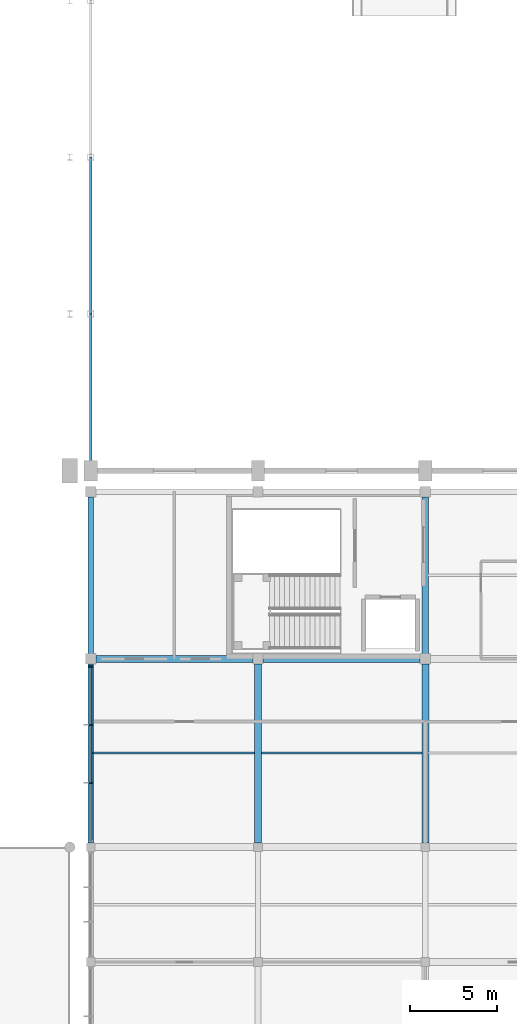
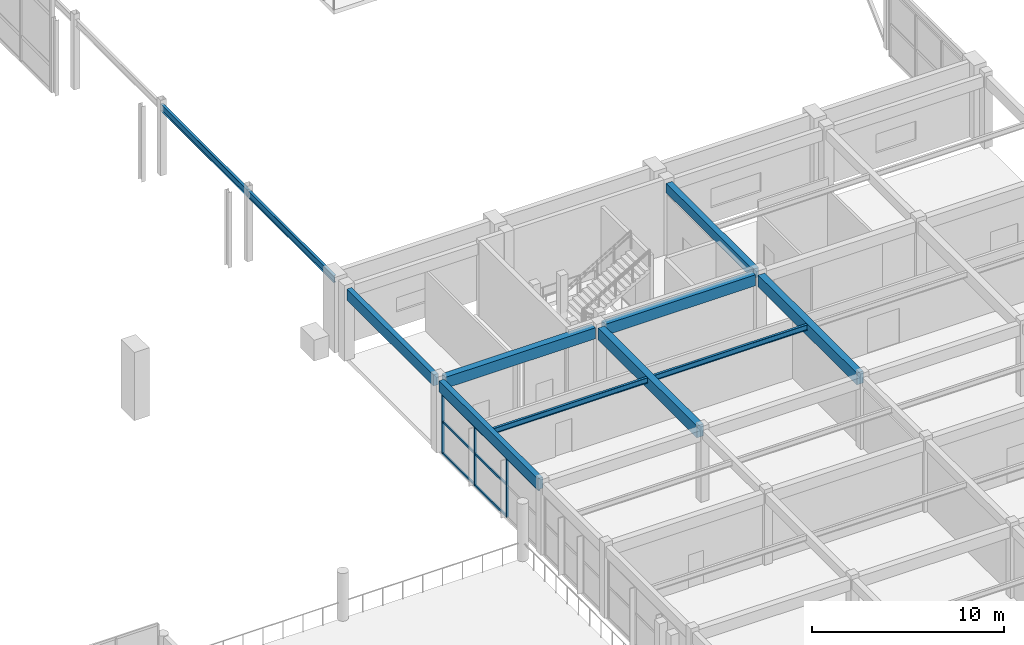
# One storey, part 29 of 74: 11 beams, 8 members, 1 element without a shape of its own.
"""IFC4 building model written with IfcOpenShell, lengths in metres."""

from ifc_helpers import new_model, si_unit, direction, frame, origin, origin_2d, place, context, subcontext, project, spatial, rectangle, i_section, extrude, material, material_profile, profile_set, type_object, element, aggregate, save


model = new_model("IFC4")

# Units and contexts
model_context = context("Model", 3, precision=1e-05, world=origin(), true_north=direction((0.0, 1.0)))
body_context = subcontext(model_context, "Body", "Model", "MODEL_VIEW")
ifc_project = project(units=[si_unit("LENGTHUNIT", "METRE"), si_unit("AREAUNIT", "SQUARE_METRE"), si_unit("VOLUMEUNIT", "CUBIC_METRE"), si_unit("PLANEANGLEUNIT", "RADIAN"), si_unit("MASSUNIT", "GRAM", prefix="KILO")], contexts=[model_context])

# Site, building, storey
site_placement = place(None, origin())
site = spatial("IfcSite", under=ifc_project, at=site_placement, CompositionType="ELEMENT")
building_placement = place(site_placement, origin())
building = spatial("IfcBuilding", under=site, at=building_placement, Name="Suirenkawa Promenade Aquatics Centre", CompositionType="ELEMENT")
storey_placement = place(building_placement, frame((0.0, 0.0, 4.800048828125)))
storey = spatial("IfcBuildingStorey", under=building, at=storey_placement, Name="L01", CompositionType="ELEMENT", Elevation=4.800048828125)

# Beams
ifc_material_1 = material(Name="Steel IS 2062 E350 (Grade 350)", Category="steel")
ifc_material_profile_1 = material_profile(ifc_material_1, i_section(OverallWidth=0.139892578125, OverallDepth=0.35009765625, WebThickness=0.008056640625, FlangeThickness=0.013916015625, at=origin_2d()), Name="ISMB 350", Category="steel")
ifc_profile_set_1 = profile_set([ifc_material_profile_1], Name="Steel IS 2062 E350 (Grade 350)")
beam_type_1 = type_object("IfcBeamType", Name="BT-JOIST-ISMB350", PredefinedType="JOIST", material=ifc_profile_set_1)
beam_1_placement = place(storey_placement, frame((156.14404296875, 34.199951171875, 4.363037109375), z_axis=(1.0, 0.0, 0.0), x_axis=(0.0, 1.0, 0.0)))
element("IfcBeam", 1, at=beam_1_placement, inside=storey, type_object=beam_type_1, Name="Secondary floor joist JS-03 BM-1726", PredefinedType="JOIST", context=body_context, shape_type="SweptSolid", body=[
    extrude(i_section(OverallWidth=0.139892578125, OverallDepth=0.35009765625, WebThickness=0.008056640625, FlangeThickness=0.013916015625, at=origin_2d()), origin(), (0.0, 0.0, 1.0), 9.261962890625),
])
beam_2_placement = place(storey_placement, frame((165.7939453125, 34.199951171875, 4.363037109375), z_axis=(1.0, 0.0, 0.0), x_axis=(0.0, 1.0, 0.0)))
element("IfcBeam", 2, at=beam_2_placement, inside=storey, type_object=beam_type_1, Name="Secondary floor joist JS-03 BM-1730", PredefinedType="JOIST", context=body_context, shape_type="SweptSolid", body=[
    extrude(i_section(OverallWidth=0.139892578125, OverallDepth=0.35009765625, WebThickness=0.008056640625, FlangeThickness=0.013916015625, at=origin_2d()), origin(), (0.0, 0.0, 1.0), 9.212158203125),
])
ifc_material_2 = material(Name="Concrete M35", Category="concrete")
ifc_material_profile_2 = material_profile(ifc_material_2, rectangle(XDim=0.35009765625, YDim=0.60009765625, at=origin_2d()), Name="RC BM 350x600", Category="concrete")
ifc_profile_set_2 = profile_set([ifc_material_profile_2], Name="Concrete M35")
beam_type_2 = type_object("IfcBeamType", Name="BT-RC-350x600", PredefinedType="BEAM", material=ifc_profile_set_2)
beam_3_placement = place(storey_placement, frame((175.199951171875, 39.89404296875, 4.239990234375), z_axis=(0.0, 1.0, 0.0), x_axis=(-1.0, 0.0, 0.0)))
element("IfcBeam", 3, at=beam_3_placement, inside=storey, type_object=beam_type_2, Name="Floor beam BM-02 BM-1712", PredefinedType="BEAM", context=body_context, shape_type="SweptSolid", body=[
    extrude(rectangle(XDim=0.35009765625, YDim=0.60009765625, at=origin_2d()), origin(), (0.0, 0.0, 1.0), 9.011962890625),
])
ifc_material_profile_3 = material_profile(ifc_material_2, rectangle(XDim=0.39990234375, YDim=0.699951171875, at=origin_2d()), Name="RC BM 400x700", Category="concrete")
ifc_profile_set_3 = profile_set([ifc_material_profile_3], Name="Concrete M35")
beam_type_3 = type_object("IfcBeamType", Name="BT-RC-400x700", PredefinedType="BEAM", material=ifc_profile_set_3)
for number, where, z_axis, x_axis, name in (
    (4, (156.2939453125, 39.60009765625, 4.18994140625), (1.0, 0.0, 0.0), (0.0, 1.0, 0.0), "Floor beam BM-04 BM-1691"),
    (5, (165.89404296875, 39.60009765625, 4.18994140625), (1.0, 0.0, 0.0), (0.0, 1.0, 0.0), "Floor beam BM-04 BM-1692"),
):
    element("IfcBeam", number, at=place(storey_placement, frame(where, z_axis=z_axis, x_axis=x_axis)), inside=storey, type_object=beam_type_3, Name=name, PredefinedType="BEAM", context=body_context, shape_type="SweptSolid", body=[
        extrude(rectangle(XDim=0.39990234375, YDim=0.699951171875, at=origin_2d()), origin(), (0.0, 0.0, 1.0), 9.011962890625),
    ])
ifc_material_3 = material(Name="Concrete M40", Category="concrete")
ifc_material_profile_4 = material_profile(ifc_material_3, rectangle(XDim=0.39990234375, YDim=0.75, at=origin_2d()), Name="RC BM 400x750", Category="concrete")
ifc_profile_set_4 = profile_set([ifc_material_profile_4], Name="Concrete M40")
beam_type_4 = type_object("IfcBeamType", Name="BT-RC-400x750", PredefinedType="BEAM", material=ifc_profile_set_4)
for number, where, z_axis, x_axis, name in (
    (6, (165.60009765625, 29.0439453125, 4.1650390625), (0.0, 1.0, 0.0), (-1.0, 0.0, 0.0), "Floor beam BM-05 BM-1707"),
    (7, (175.199951171875, 29.0439453125, 4.1650390625), (0.0, 1.0, 0.0), (-1.0, 0.0, 0.0), "Floor beam BM-05 BM-1711"),
):
    element("IfcBeam", number, at=place(storey_placement, frame(where, z_axis=z_axis, x_axis=x_axis)), inside=storey, type_object=beam_type_4, Name=name, PredefinedType="BEAM", context=body_context, shape_type="SweptSolid", body=[
        extrude(rectangle(XDim=0.39990234375, YDim=0.75, at=origin_2d()), origin(), (0.0, 0.0, 1.0), 10.261962890625),
    ])
ifc_material_profile_5 = material_profile(ifc_material_3, rectangle(XDim=0.300048828125, YDim=0.699951171875, at=origin_2d()), Name="RC SPANDREL 300x700", Category="concrete")
ifc_profile_set_5 = profile_set([ifc_material_profile_5], Name="Concrete M40")
beam_type_5 = type_object("IfcBeamType", Name="BT-SPANDREL-300x700", PredefinedType="SPANDREL", material=ifc_profile_set_5)
beam_4_placement = place(storey_placement, frame((156.0, 29.0439453125, 4.18994140625), z_axis=(0.0, 1.0, 0.0), x_axis=(-1.0, 0.0, 0.0)))
element("IfcBeam", 8, at=beam_4_placement, inside=storey, type_object=beam_type_5, Name="Floor beam SP-01 BM-1702", PredefinedType="SPANDREL", context=body_context, shape_type="SweptSolid", body=[
    extrude(rectangle(XDim=0.300048828125, YDim=0.699951171875, at=origin_2d()), origin(), (0.0, 0.0, 1.0), 10.261962890625),
])
beam_5_placement = place(storey_placement, frame((156.0, 39.89404296875, 4.18994140625), z_axis=(0.0, 1.0, 0.0), x_axis=(-1.0, 0.0, 0.0)))
element("IfcBeam", 9, at=beam_5_placement, inside=storey, type_object=beam_type_5, Name="Floor beam SP-01 BM-1703", PredefinedType="SPANDREL", context=body_context, shape_type="SweptSolid", body=[
    extrude(rectangle(XDim=0.300048828125, YDim=0.699951171875, at=origin_2d()), origin(), (0.0, 0.0, 1.0), 9.011962890625),
])
ifc_material_profile_6 = material_profile(ifc_material_1, i_section(OverallWidth=0.14990234375, OverallDepth=0.449951171875, WebThickness=0.009033203125, FlangeThickness=0.01708984375, at=origin_2d()), Name="ISMB 450", Category="steel")
ifc_profile_set_6 = profile_set([ifc_material_profile_6], Name="Steel IS 2062 E350 (Grade 350)")
beam_type_6 = type_object("IfcBeamType", Name="BT-STL-ISMB450", PredefinedType="BEAM", material=ifc_profile_set_6)
for number, where, z_axis, x_axis, name in (
    (10, (156.0, 50.39990234375, 4.224853515625), (0.0, 1.0, 0.0), (-1.0, 0.0, 0.0), "Diving hall wind girt BM-08 BM-1349"),
    (11, (156.0, 59.39990234375, 4.224853515625), (0.0, 1.0, 0.0), (-1.0, 0.0, 0.0), "Diving hall wind girt BM-08 BM-1350"),
):
    element("IfcBeam", number, at=place(storey_placement, frame(where, z_axis=z_axis, x_axis=x_axis)), inside=storey, type_object=beam_type_6, Name=name, PredefinedType="BEAM", context=body_context, shape_type="SweptSolid", body=[
        extrude(i_section(OverallWidth=0.14990234375, OverallDepth=0.449951171875, WebThickness=0.009033203125, FlangeThickness=0.01708984375, at=origin_2d()), origin(), (0.0, 0.0, 1.0), 9.0),
    ])

# Curtain wall, members
ifc_material_4 = material(Name="Anodised aluminium 6063-T6", Category="aluminium")
curtain_wall_type = type_object("IfcCurtainWallType", Name="CWAT-V4WL01-34", PredefinedType="NOTDEFINED", material=ifc_material_4)
curtain_wall_placement = place(storey_placement, origin())
curtain_wall = element("IfcCurtainWall", 12, at=curtain_wall_placement, inside=storey, type_object=curtain_wall_type, Name="Curtain wall CWA-34 CW-077", PredefinedType="NOTDEFINED")
ifc_material_profile_7 = material_profile(ifc_material_4, rectangle(XDim=0.090087890625, YDim=0.159912109375, at=origin_2d()), Name="ALU MULL 90x160", Category="aluminium")
ifc_profile_set_7 = profile_set([ifc_material_profile_7], Name="Anodised aluminium 6063-T6")
member_type_1 = type_object("IfcMemberType", Name="CWM-160x90", PredefinedType="MULLION", material=ifc_profile_set_7)
member_1_placement = place(storey_placement, frame((156.0, 32.48291015625, 0.0), z_axis=(0.0, 0.0, 1.0), x_axis=(0.0, 1.0, 0.0)))
member_1 = element("IfcMember", 13, at=member_1_placement, type_object=member_type_1, Name="Mullion ML-03 CWM-01534", PredefinedType="MULLION", context=body_context, shape_type="SweptSolid", body=[
    extrude(rectangle(XDim=0.090087890625, YDim=0.159912109375, at=origin_2d()), origin(), (0.0, 0.0, 1.0), 3.719970703125),
])
member_2_placement = place(storey_placement, frame((156.0, 35.81689453125, 0.0), z_axis=(0.0, 0.0, 1.0), x_axis=(0.0, 1.0, 0.0)))
member_2 = element("IfcMember", 14, at=member_2_placement, type_object=member_type_1, Name="Mullion ML-03 CWM-01535", PredefinedType="MULLION", context=body_context, shape_type="SweptSolid", body=[
    extrude(rectangle(XDim=0.090087890625, YDim=0.159912109375, at=origin_2d()), origin(), (0.0, 0.0, 1.0), 3.719970703125),
])
member_3_placement = place(storey_placement, frame((156.0, 39.15087890625, 0.0), z_axis=(0.0, 0.0, 1.0), x_axis=(0.0, 1.0, 0.0)))
member_3 = element("IfcMember", 15, at=member_3_placement, type_object=member_type_1, Name="Mullion ML-03 CWM-01536", PredefinedType="MULLION", context=body_context, shape_type="SweptSolid", body=[
    extrude(rectangle(XDim=0.090087890625, YDim=0.159912109375, at=origin_2d()), origin(), (0.0, 0.0, 1.0), 3.719970703125),
])
ifc_material_profile_8 = material_profile(ifc_material_4, rectangle(XDim=0.090087890625, YDim=0.1298828125, at=origin_2d()), Name="ALU TRAN 90x130", Category="aluminium")
ifc_profile_set_8 = profile_set([ifc_material_profile_8], Name="Anodised aluminium 6063-T6")
member_type_2 = type_object("IfcMemberType", Name="CWT-130x90", PredefinedType="USERDEFINED", material=ifc_profile_set_8)
member_4_placement = place(storey_placement, frame((156.0, 32.48291015625, 0.0), z_axis=(0.0, 1.0, 0.0), x_axis=(-1.0, 0.0, 0.0)))
member_4 = element("IfcMember", 16, at=member_4_placement, type_object=member_type_2, Name="Transom TR-03 CWT-01538", ObjectType="TRANSOM", PredefinedType="USERDEFINED", context=body_context, shape_type="SweptSolid", body=[
    extrude(rectangle(XDim=0.090087890625, YDim=0.1298828125, at=origin_2d()), origin(), (0.0, 0.0, 1.0), 3.333984375),
])
member_5_placement = place(storey_placement, frame((156.0, 35.81689453125, 0.0), z_axis=(0.0, 1.0, 0.0), x_axis=(-1.0, 0.0, 0.0)))
member_5 = element("IfcMember", 17, at=member_5_placement, type_object=member_type_2, Name="Transom TR-03 CWT-01539", ObjectType="TRANSOM", PredefinedType="USERDEFINED", context=body_context, shape_type="SweptSolid", body=[
    extrude(rectangle(XDim=0.090087890625, YDim=0.1298828125, at=origin_2d()), origin(), (0.0, 0.0, 1.0), 3.333984375),
])
member_6_placement = place(storey_placement, frame((156.0, 32.48291015625, 2.0), z_axis=(0.0, 1.0, 0.0), x_axis=(-1.0, 0.0, 0.0)))
member_6 = element("IfcMember", 18, at=member_6_placement, type_object=member_type_2, Name="Transom TR-03 CWT-01541", ObjectType="TRANSOM", PredefinedType="USERDEFINED", context=body_context, shape_type="SweptSolid", body=[
    extrude(rectangle(XDim=0.090087890625, YDim=0.1298828125, at=origin_2d()), origin(), (0.0, 0.0, 1.0), 3.333984375),
])
member_7_placement = place(storey_placement, frame((156.0, 35.81689453125, 2.0), z_axis=(0.0, 1.0, 0.0), x_axis=(-1.0, 0.0, 0.0)))
member_7 = element("IfcMember", 19, at=member_7_placement, type_object=member_type_2, Name="Transom TR-03 CWT-01542", ObjectType="TRANSOM", PredefinedType="USERDEFINED", context=body_context, shape_type="SweptSolid", body=[
    extrude(rectangle(XDim=0.090087890625, YDim=0.1298828125, at=origin_2d()), origin(), (0.0, 0.0, 1.0), 3.333984375),
])
member_8_placement = place(storey_placement, frame((156.0, 29.14892578125, 3.719970703125), z_axis=(0.0, 1.0, 0.0), x_axis=(-1.0, 0.0, 0.0)))
member_8 = element("IfcMember", 20, at=member_8_placement, type_object=member_type_2, Name="Roofline transom TR-03 CWT-01543", ObjectType="TRANSOM", PredefinedType="USERDEFINED", context=body_context, shape_type="SweptSolid", body=[
    extrude(rectangle(XDim=0.090087890625, YDim=0.1298828125, at=origin_2d()), origin(), (0.0, 0.0, 1.0), 10.001953125),
])
aggregate(curtain_wall, [member_1, member_2, member_3, member_4, member_5, member_6, member_7, member_8])

save(model, "model.ifc")
